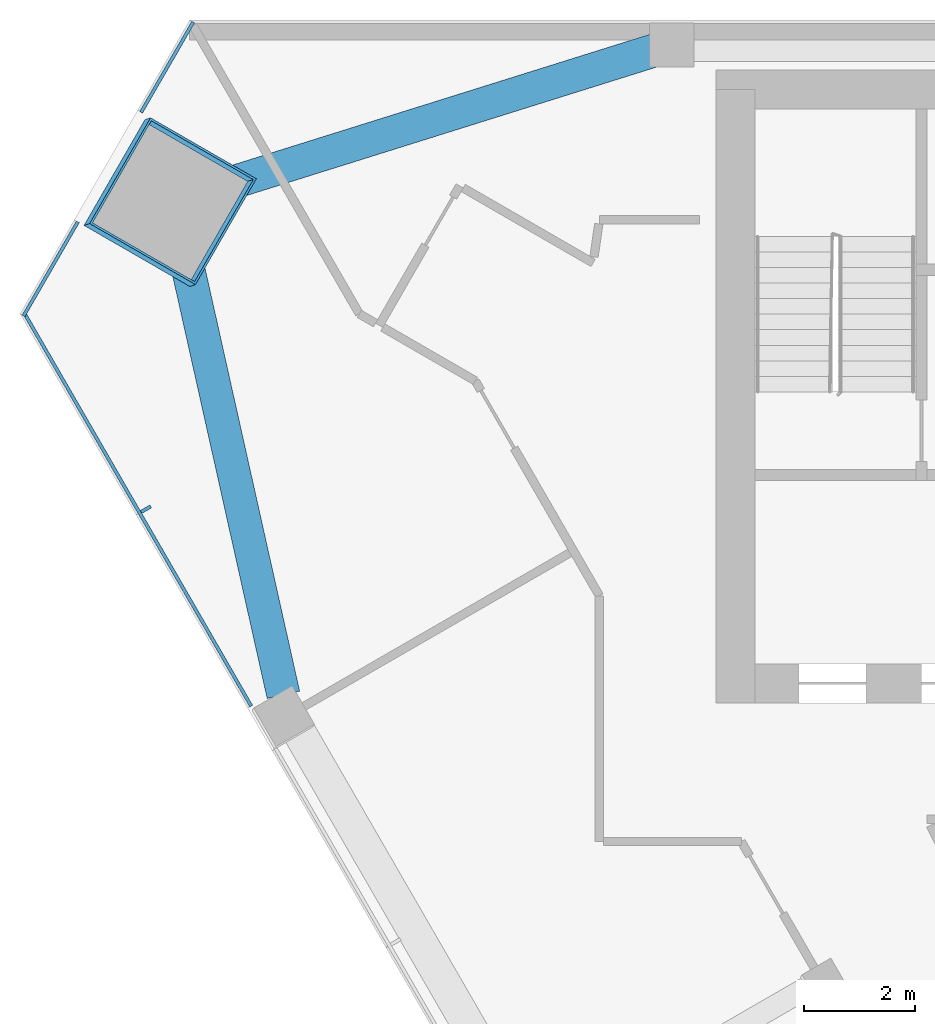
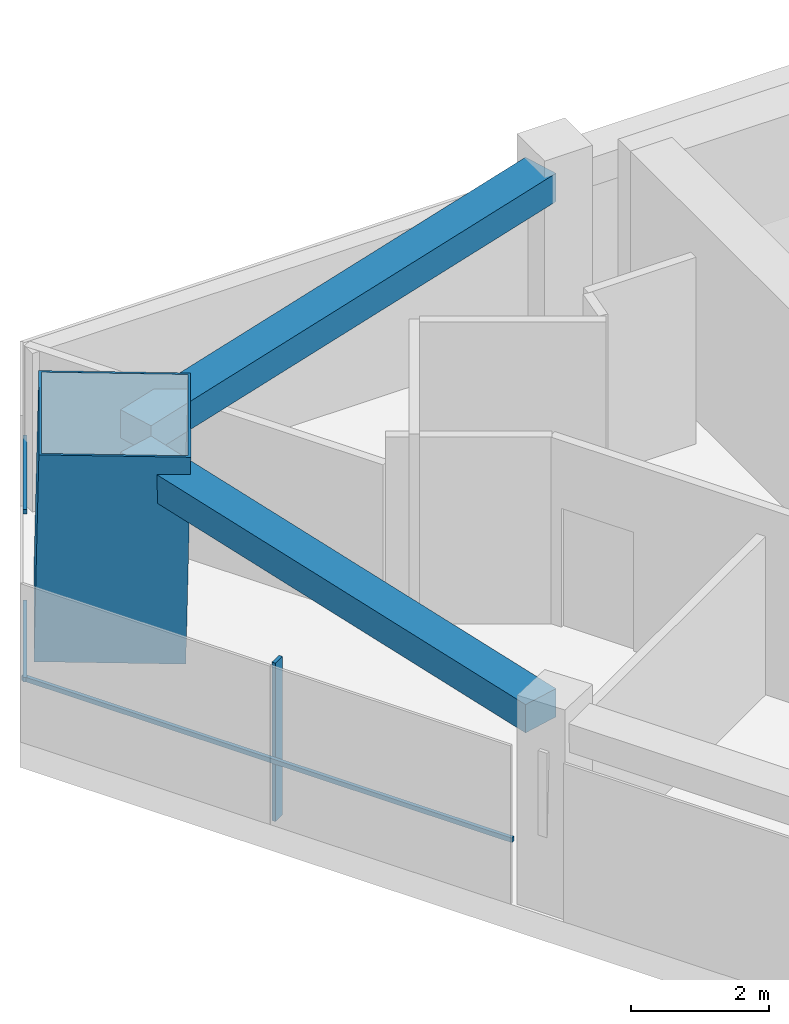
# One storey, part 5 of 13: 5 members, 2 beams, 2 elements without a shape of their own.
"""IFC4 building model written with IfcOpenShell, lengths in metres."""

from ifc_helpers import new_model, si_unit, direction, frame, origin, origin_2d, place, context, subcontext, project, spatial, rectangle, hollow_rectangle, extrude, material, layer, layer_set, material_profile, profile_set, type_object, element, aggregate, save


model = new_model("IFC4")

# Units and contexts
model_context = context("Model", 3, precision=1e-05, world=origin(), true_north=direction((0.0, 1.0)))
body_context = subcontext(model_context, "Body", "Model", "MODEL_VIEW")
ifc_project = project(units=[si_unit("LENGTHUNIT", "METRE"), si_unit("AREAUNIT", "SQUARE_METRE"), si_unit("VOLUMEUNIT", "CUBIC_METRE"), si_unit("PLANEANGLEUNIT", "RADIAN"), si_unit("MASSUNIT", "GRAM", prefix="KILO")], contexts=[model_context])

# Site, building, storey
site_placement = place(None, origin())
site = spatial("IfcSite", under=ifc_project, at=site_placement, CompositionType="ELEMENT")
building_placement = place(site_placement, origin())
building = spatial("IfcBuilding", under=site, at=building_placement, Name="Altiplano Prism Tower", CompositionType="ELEMENT")
storey_placement = place(building_placement, frame((0.0, 0.0, 208.800048828125)))
storey = spatial("IfcBuildingStorey", under=building, at=storey_placement, Name="L54", CompositionType="ELEMENT", Elevation=208.800048828125)

# Curtain wall, member
ifc_material_1 = material(Name="Aluminium and glass", Category="aluminium")
ifc_layer = layer(ifc_material_1, 0.303955078125)
ifc_layer_set = layer_set([ifc_layer], Name="Aluminium and glass")
curtain_wall_type = type_object("IfcCurtainWallType", Name="CW2 lounge-band unitised glazing", PredefinedType="NOTDEFINED", material=ifc_layer_set)
curtain_wall_1_placement = place(storey_placement, origin())
curtain_wall_1 = element("IfcCurtainWall", 1, at=curtain_wall_1_placement, inside=storey, type_object=curtain_wall_type, Name="CW2 curtain wall south-west face L54", PredefinedType="NOTDEFINED")
ifc_material_2 = material(Name="Aluminium", Category="aluminium")
ifc_material_profile_1 = material_profile(ifc_material_2, rectangle(XDim=0.199951171875, YDim=0.06005859375, at=origin_2d()), Name="CW2 mullion 60 x 200")
ifc_profile_set_1 = profile_set([ifc_material_profile_1], Name="Aluminium")
member_type_1 = type_object("IfcMemberType", Name="CW2 mullion 60 x 200", PredefinedType="MULLION", material=ifc_profile_set_1)
member_1_placement = place(storey_placement, frame((62.029541015625, 96.18701171875, 0.0), z_axis=(0.0, 0.0, 1.0), x_axis=(0.866025415618, 0.499999979504, 0.0)))
member_1 = element("IfcMember", 2, at=member_1_placement, type_object=member_type_1, Name="CW2 mullion", PredefinedType="MULLION", context=body_context, shape_type="SweptSolid", body=[
    extrude(rectangle(XDim=0.199951171875, YDim=0.06005859375, at=origin_2d()), origin(), (0.0, 0.0, 1.0), 2.800048828125),
])

# Curtain wall, members
curtain_wall_2_placement = place(storey_placement, origin())
curtain_wall_2 = element("IfcCurtainWall", 3, at=curtain_wall_2_placement, inside=storey, type_object=curtain_wall_type, Name="CW2 curtain wall north-west chamfer L54", PredefinedType="NOTDEFINED")
ifc_material_profile_2 = material_profile(ifc_material_2, rectangle(XDim=0.06005859375, YDim=0.080078125, at=origin_2d()), Name="CW2 transom 80 x 60")
ifc_profile_set_2 = profile_set([ifc_material_profile_2], Name="Aluminium")
member_type_2 = type_object("IfcMemberType", Name="CW2 transom 80 x 60", PredefinedType="USERDEFINED", material=ifc_profile_set_2)
member_2_placement = place(storey_placement, frame((62.883056640625, 104.962890625, 1.099853515625), z_axis=(-0.500015282227, -0.866016580407, 0.0), x_axis=(0.866016580407, -0.500015282227, 0.0)))
member_2 = element("IfcMember", 4, at=member_2_placement, type_object=member_type_2, Name="CW2 transom", ObjectType="TRANSOM", PredefinedType="USERDEFINED", context=body_context, shape_type="SweptSolid", body=[
    extrude(rectangle(XDim=0.06005859375, YDim=0.080078125, at=origin_2d()), origin(), (0.0, 0.0, 1.0), 1.87646484375),
])
member_3_placement = place(storey_placement, frame((60.8046875, 101.36328125, 1.099853515625), z_axis=(-0.500017700655, -0.866015184065, 0.0), x_axis=(0.866015184065, -0.500017700655, 0.0)))
member_3 = element("IfcMember", 5, at=member_3_placement, type_object=member_type_2, Name="CW2 transom", ObjectType="TRANSOM", PredefinedType="USERDEFINED", context=body_context, shape_type="SweptSolid", body=[
    extrude(rectangle(XDim=0.06005859375, YDim=0.080078125, at=origin_2d()), origin(), (0.0, 0.0, 1.0), 1.95654296875),
])
aggregate(curtain_wall_2, [member_2, member_3])

# Member
member_4_placement = place(storey_placement, frame((59.826416015625, 99.742919921875, 1.099853515625), z_axis=(0.500003317987, -0.866023488135, 0.0), x_axis=(0.866023488135, 0.500003317987, 0.0)))
member_4 = element("IfcMember", 6, at=member_4_placement, type_object=member_type_2, Name="CW2 transom", ObjectType="TRANSOM", PredefinedType="USERDEFINED", context=body_context, shape_type="SweptSolid", body=[
    extrude(rectangle(XDim=0.06005859375, YDim=0.080078125, at=origin_2d()), origin(), (0.0, 0.0, 1.0), 8.20166015625),
])

aggregate(curtain_wall_1, [member_1, member_4])

# Beams
ifc_material_3 = material(Name="Concrete C60/75", Category="concrete")
ifc_material_profile_3 = material_profile(ifc_material_3, rectangle(XDim=0.60009765625, YDim=0.5, at=origin_2d()), Name="Edge beam 600x500")
ifc_profile_set_3 = profile_set([ifc_material_profile_3], Name="Concrete C60/75")
beam_type = type_object("IfcBeamType", Name="Edge beam 600x500", PredefinedType="SPANDREL", material=ifc_profile_set_3)
beam_1_placement = place(storey_placement, frame((71.214599609375, 104.46044921875, 3.050048828125), z_axis=(-0.954270622683, -0.298944106288, 0.0), x_axis=(0.298944106288, -0.954270622683, 0.0)))
element("IfcBeam", 7, at=beam_1_placement, inside=storey, type_object=beam_type, Name="Edge beam P04-M0 L55", PredefinedType="SPANDREL", context=body_context, shape_type="SweptSolid", body=[
    extrude(rectangle(XDim=0.60009765625, YDim=0.5, at=origin_2d()), origin(), (0.0, 0.0, 1.0), 8.66259765625),
])
beam_2_placement = place(storey_placement, frame((62.616943359375, 101.297119140625, 3.050048828125), z_axis=(0.218228385959, -0.975897725974, 0.0), x_axis=(0.975897725974, 0.218228385959, 0.0)))
element("IfcBeam", 8, at=beam_2_placement, inside=storey, type_object=beam_type, Name="Edge beam M0-P11 L55", PredefinedType="SPANDREL", context=body_context, shape_type="SweptSolid", body=[
    extrude(rectangle(XDim=0.60009765625, YDim=0.5, at=origin_2d()), origin(), (0.0, 0.0, 1.0), 8.662353515625),
])

# Member
ifc_material_4 = material(Name="Steel S460", Category="steel")
ifc_material_profile_4 = material_profile(ifc_material_4, hollow_rectangle(XDim=2.199951171875, YDim=2.199951171875, WallThickness=0.0400390625, at=origin_2d()), Name="Mega column tube 2200")
ifc_profile_set_4 = profile_set([ifc_material_profile_4], Name="Steel S460")
member_type_3 = type_object("IfcMemberType", Name="Mega column tube 2200", PredefinedType="POST", material=ifc_profile_set_4)
member_5_placement = place(storey_placement, frame((62.41650390625, 101.702880859375, 0.0), z_axis=(0.028403721265, 0.009287135593, 0.999553389135), x_axis=(-0.866209208882, 0.499282066984, 0.019975585985)))
element("IfcMember", 9, at=member_5_placement, inside=storey, type_object=member_type_3, Name="Mega column tube M0 L54", PredefinedType="POST", context=body_context, shape_type="SweptSolid", body=[
    extrude(hollow_rectangle(XDim=2.199951171875, YDim=2.199951171875, WallThickness=0.0400390625, at=origin_2d()), origin(), (0.0, 0.0, 1.0), 3.6015625),
])

save(model, "model.ifc")
